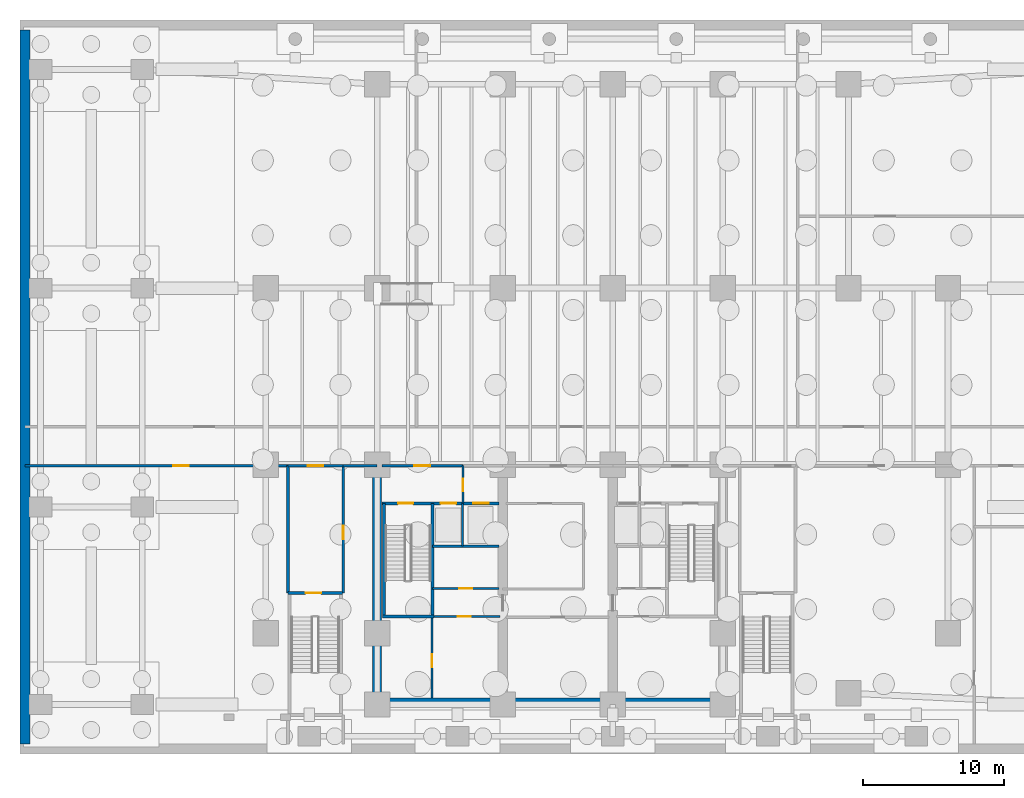
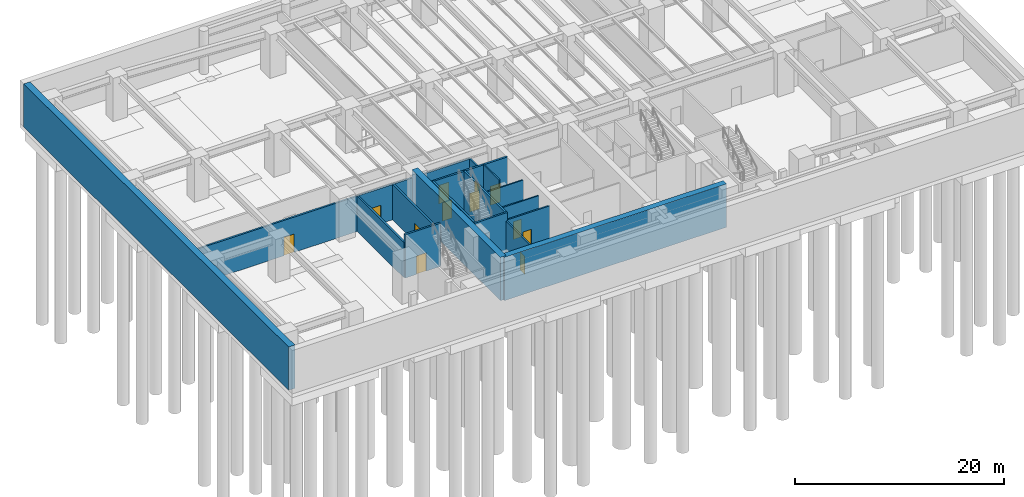
# One storey, part 5 of 12: 20 walls, 12 doors, 12 openings.
"""IFC4 building model written with IfcOpenShell, lengths in metres."""

import ifcopenshell
import ifcopenshell.guid

model = None  # the IFC model being written
_history = None  # IfcOwnerHistory: only IFC2X3 demands one
_inside = {}  # id of a spatial element -> (the spatial element, [elements in it])
_under = {}  # id of a project, library or spatial element -> (it, [spatial elements below it])
_declared = {}  # id of a project -> (the project, [libraries it declares])
_typed = {}  # id of a type object -> (the type object, [elements of that type])
_made_of = {}  # id of a material, layer set ... -> (it, [elements and type objects made of it])


def new_model(schema):
    """Start an empty IFC model of exactly this schema.

    Asked for "IFC4X3", IfcOpenShell would pick the latest addendum, in which some entities
    have other attributes; the version numbers below select the first issue.
    IFC2X3 requires an IfcOwnerHistory on every rooted entity: one is made here for all.
    """
    global model, _history
    if schema == "IFC4X3":
        model = ifcopenshell.file(schema_version=(4, 3, 0, 0))
    else:
        model = ifcopenshell.file(schema=schema)
    _inside.clear()
    _under.clear()
    _declared.clear()
    _typed.clear()
    _made_of.clear()
    _history = None
    if model.schema == "IFC2X3":
        org = make("IfcOrganization", Name="unknown")
        user = make(
            "IfcPersonAndOrganization",
            ThePerson=make("IfcPerson", FamilyName="unknown"),
            TheOrganization=org,
        )
        app = make(
            "IfcApplication",
            ApplicationDeveloper=org,
            Version="unknown",
            ApplicationFullName="unknown",
            ApplicationIdentifier="unknown",
        )
        _history = make(
            "IfcOwnerHistory",
            OwningUser=user,
            OwningApplication=app,
            ChangeAction="ADDED",
            CreationDate=0,
        )
    return model


def make(cls, **values):
    """One entity of the class cls with the attributes given. An attribute that is None is left unset."""
    return model.create_entity(
        cls, **{name: value for name, value in values.items() if value is not None}
    )


def rooted(cls, **values):
    """An entity with a GlobalId (a new one), such as an element, a storey or a relation."""
    return make(cls, GlobalId=ifcopenshell.guid.new(), OwnerHistory=_history, **values)


def si_unit(unit_type, name, prefix=None):
    """IfcSIUnit, for example si_unit("LENGTHUNIT", "METRE", prefix="MILLI")."""
    return make("IfcSIUnit", UnitType=unit_type, Prefix=prefix, Name=name)


def assignment(units):
    """IfcUnitAssignment: the units of a project."""
    return None if units is None else make("IfcUnitAssignment", Units=units)


def point(xyz):
    """IfcCartesianPoint."""
    return None if xyz is None else make("IfcCartesianPoint", Coordinates=xyz)


def direction(xyz):
    """IfcDirection."""
    return None if xyz is None else make("IfcDirection", DirectionRatios=xyz)


def frame(location, z_axis=None, x_axis=None):
    """IfcAxis2Placement3D, a coordinate frame: its origin and axes. An axis left out is left unset."""
    return make(
        "IfcAxis2Placement3D",
        Location=point(location),
        Axis=direction(z_axis),
        RefDirection=direction(x_axis),
    )


def frame_2d(location, x_axis=None):
    """IfcAxis2Placement2D, a coordinate frame in the plane: its origin and x axis."""
    return make(
        "IfcAxis2Placement2D", Location=point(location), RefDirection=direction(x_axis)
    )


def origin():
    """The frame at (0, 0, 0) with its axes left unset."""
    return frame((0.0, 0.0, 0.0))


def place(relative_to, where):
    """IfcLocalPlacement: puts the frame where relative to a parent placement (None: the world)."""
    return make(
        "IfcLocalPlacement", PlacementRelTo=relative_to, RelativePlacement=where
    )


def context(
    kind, dimensions, precision=None, world=None, true_north=None, identifier=None
):
    """IfcGeometricRepresentationContext, for example the 3D "Model" context."""
    return make(
        "IfcGeometricRepresentationContext",
        ContextIdentifier=identifier,
        ContextType=kind,
        CoordinateSpaceDimension=dimensions,
        Precision=precision,
        WorldCoordinateSystem=world,
        TrueNorth=true_north,
    )


def subcontext(parent, identifier, kind, view, scale=None):
    """IfcGeometricRepresentationSubContext, for example "Body" below "Model"."""
    return make(
        "IfcGeometricRepresentationSubContext",
        ContextIdentifier=identifier,
        ContextType=kind,
        ParentContext=parent,
        TargetScale=scale,
        TargetView=view,
    )


def project(units=None, contexts=None):
    """IfcProject with its units and contexts."""
    return rooted(
        "IfcProject",
        Name="project",
        RepresentationContexts=contexts,
        UnitsInContext=assignment(units),
    )


def spatial(cls, under=None, at=None, **own):
    """A site, building, storey or space (cls), placed at a placement, below another one or the project."""
    s = rooted(cls, ObjectPlacement=at, **own)
    if under is not None:
        _under.setdefault(under.id(), (under, []))[1].append(s)
    return s


def profile(cls, at=None, kind="AREA", **sizes):
    """A parametric profile (cls). Its sizes go by their IFC names, for example OverallWidth=200.0."""
    return make(cls, ProfileType=kind, Position=at, **sizes)


def rectangle(**sizes):
    """IfcRectangleProfileDef."""
    return profile("IfcRectangleProfileDef", **sizes)


def extrude(swept, where, along, depth):
    """IfcExtrudedAreaSolid: the profile swept, set in the frame where, extruded along a direction by depth."""
    return make(
        "IfcExtrudedAreaSolid",
        SweptArea=swept,
        Position=where,
        ExtrudedDirection=direction(along),
        Depth=depth,
    )


def shape(context_of_items, identifier, shape_type, items):
    """IfcShapeRepresentation: the items that make up one representation, for example the "Body"."""
    return make(
        "IfcShapeRepresentation",
        ContextOfItems=context_of_items,
        RepresentationIdentifier=identifier,
        RepresentationType=shape_type,
        Items=items,
    )


def material(Name=None, Category=None):
    """IfcMaterial."""
    return make("IfcMaterial", Name=Name, Category=Category)


def layer(
    of_material, thickness, ventilated=None, Name=None, Category=None, Priority=None
):
    """IfcMaterialLayer: one layer of a wall or slab, of a material (None: an air gap)."""
    return make(
        "IfcMaterialLayer",
        Material=of_material,
        LayerThickness=thickness,
        IsVentilated=ventilated,
        Name=Name,
        Category=Category,
        Priority=Priority,
    )


def layer_set(layers, Name=None):
    """IfcMaterialLayerSet."""
    return make("IfcMaterialLayerSet", MaterialLayers=layers, LayerSetName=Name)


def made_of(thing, what):
    """Note that an element or type object is made of a material, layer set ...; save() writes the relation."""
    if what is not None:
        _made_of.setdefault(what.id(), (what, []))[1].append(thing)
    return thing


def type_object(cls, material=None, **own):
    """A type object (cls), such as IfcWallType, which elements share."""
    return made_of(rooted(cls, **own), material)


def element(
    cls,
    number,
    at=None,
    inside=None,
    cuts=None,
    type_object=None,
    material=None,
    context=None,
    identifier="Body",
    shape_type=None,
    held_by="IfcProductDefinitionShape",
    body=None,
    shapes=None,
    **own,
):
    """One element of the class cls, such as IfcWall. Its Tag is "e" and its number.

    at: its placement. inside: the storey or other place that contains it. cuts: it is an
    opening in that element (IfcRelVoidsElement). A single representation is given by context,
    identifier, shape_type and body (its items); several are given by shapes. held_by: the class
    of the entity that holds the representations. save() writes the other relations.
    """
    e = rooted(cls, Tag="e%d" % number, ObjectPlacement=at, **own)
    if body is not None:
        shapes = [shape(context, identifier, shape_type, body)]
    if shapes is not None:
        e.Representation = make(held_by, Representations=shapes)
    if inside is not None:
        _inside.setdefault(inside.id(), (inside, []))[1].append(e)
    if cuts is not None:
        rooted(
            "IfcRelVoidsElement", RelatingBuildingElement=cuts, RelatedOpeningElement=e
        )
    if type_object is not None:
        _typed.setdefault(type_object.id(), (type_object, []))[1].append(e)
    return made_of(e, material)


def fill(opening, filler):
    """IfcRelFillsElement: the door or window that sits in an opening."""
    return rooted(
        "IfcRelFillsElement",
        RelatingOpeningElement=opening,
        RelatedBuildingElement=filler,
    )


def aggregate(whole, parts):
    """IfcRelAggregates: a whole, such as a stair, and the parts it consists of."""
    return rooted("IfcRelAggregates", RelatingObject=whole, RelatedObjects=parts)


def save(model, path):
    """Write the relations noted so far, then the file.

    IfcRelAggregates (storeys below a building ...), IfcRelContainedInSpatialStructure (elements
    in a storey), IfcRelDefinesByType, IfcRelAssociatesMaterial and IfcRelDeclares: one each for
    every whole, place, type object, material and project.
    """
    for whole, parts in _under.values():
        aggregate(whole, parts)
    for where, things in _inside.values():
        rooted(
            "IfcRelContainedInSpatialStructure",
            RelatedElements=things,
            RelatingStructure=where,
        )
    for kind, things in _typed.values():
        rooted("IfcRelDefinesByType", RelatedObjects=things, RelatingType=kind)
    for what, things in _made_of.values():
        rooted("IfcRelAssociatesMaterial", RelatedObjects=things, RelatingMaterial=what)
    for by, libraries in _declared.values():
        rooted("IfcRelDeclares", RelatingContext=by, RelatedDefinitions=libraries)
    model.write(path)


model = new_model("IFC4")

# Units and contexts
model_context = context("Model", 3, precision=1e-05, world=origin(), true_north=direction((0.0, 1.0)))
body_context = subcontext(model_context, "Body", "Model", "MODEL_VIEW")
ifc_project = project(units=[si_unit("LENGTHUNIT", "METRE"), si_unit("AREAUNIT", "SQUARE_METRE"), si_unit("VOLUMEUNIT", "CUBIC_METRE"), si_unit("PLANEANGLEUNIT", "RADIAN"), si_unit("MASSUNIT", "GRAM", prefix="KILO")], contexts=[model_context])

# Site, building, storey
site_placement = place(None, origin())
site = spatial("IfcSite", under=ifc_project, at=site_placement, CompositionType="ELEMENT")
building_placement = place(site_placement, origin())
building = spatial("IfcBuilding", under=site, at=building_placement, Name="Qalmaran Belvedere Hotel", CompositionType="ELEMENT")
storey_placement = place(building_placement, frame((0.0, 0.0, -5.39990234375)))
storey = spatial("IfcBuildingStorey", under=building, at=storey_placement, Name="B01", CompositionType="ELEMENT", Elevation=-5.39990234375)

# Walls
ifc_material_1 = material(Name="Concrete C60/75", Category="concrete")
ifc_layer_1 = layer(ifc_material_1, 0.64990234375, Name="Concrete C60/75")
ifc_layer_set_1 = layer_set([ifc_layer_1], Name="Concrete C60/75")
wall_type_1 = type_object("IfcWallType", Name="WL-CORE-650-C60", PredefinedType="SHEAR", material=ifc_layer_set_1)
wall_1_placement = place(storey_placement, frame((20.300048828125, 3.6298828125, 0.0), z_axis=(0.0, 0.0, 1.0), x_axis=(1.0, 0.0, 0.0)))
element("IfcWall", 1, at=wall_1_placement, inside=storey, type_object=wall_type_1, Name="B01 South Core Shear Wall", PredefinedType="SHEAR", context=body_context, shape_type="SweptSolid", body=[
    extrude(rectangle(XDim=24.5, YDim=0.64990234375, at=frame_2d((12.25, 0.0))), origin(), (0.0, 0.0, 1.0), 5.0498046875),
])
wall_2_placement = place(storey_placement, frame((20.300048828125, 3.5, 0.0), z_axis=(0.0, 0.0, 1.0), x_axis=(0.0, 1.0, 0.0)))
element("IfcWall", 2, at=wall_2_placement, inside=storey, type_object=wall_type_1, Name="B01 West Core Shear Wall", PredefinedType="SHEAR", context=body_context, shape_type="SweptSolid", body=[
    extrude(rectangle(XDim=16.89990234375, YDim=0.64990234375, at=frame_2d((8.449951171875, 0.0))), origin(), (0.0, 0.0, 1.0), 5.0498046875),
])
ifc_material_2 = material(Name="Gypsum Stud Partition")
ifc_layer_2 = layer(ifc_material_2, 0.14990234375, Name="Gypsum Stud Partition")
ifc_layer_set_2 = layer_set([ifc_layer_2], Name="Gypsum Stud Partition")
wall_type_2 = type_object("IfcWallType", Name="WL-INT-150-EI120", PredefinedType="PARTITIONING", material=ifc_layer_set_2)
wall_3_placement = place(storey_placement, frame((26.360107421875, 14.719970703125, 0.0), z_axis=(0.0, 0.0, 1.0), x_axis=(0.0, 1.0, 0.0)))
element("IfcWall", 3, at=wall_3_placement, inside=storey, type_object=wall_type_2, Name="B01 Partition WL-FF1M-B01", PredefinedType="PARTITIONING", context=body_context, shape_type="SweptSolid", body=[
    extrude(rectangle(XDim=3.0400390625, YDim=0.14990234375, at=frame_2d((1.52001953125, 0.0))), origin(), (0.0, 0.0, 1.0), 5.0498046875),
])

# Wall, opening, door
ifc_layer_3 = layer(ifc_material_2, 0.159912109375, Name="Gypsum Stud Partition")
ifc_layer_set_3 = layer_set([ifc_layer_3], Name="Gypsum Stud Partition")
wall_type_3 = type_object("IfcWallType", Name="WL-INT-160-EI120", PredefinedType="PARTITIONING", material=ifc_layer_set_3)
wall_4_placement = place(storey_placement, frame((26.3798828125, 17.760009765625, 0.0), z_axis=(0.0, 0.0, 1.0), x_axis=(0.0, 1.0, 0.0)))
wall_4 = element("IfcWall", 4, at=wall_4_placement, inside=storey, type_object=wall_type_3, Name="B01 Partition WL-FFSV1-B01", PredefinedType="PARTITIONING", context=body_context, shape_type="SweptSolid", body=[
    extrude(rectangle(XDim=2.659912109375, YDim=0.159912109375, at=frame_2d((1.330078125, 0.0))), origin(), (0.0, 0.0, 1.0), 4.114013671875),
])
opening_1_placement = place(wall_4_placement, frame((0.85009765625, 0.0, 0.0)))
opening_1 = element("IfcOpeningElement", 5, at=opening_1_placement, cuts=wall_4, Name="Opening FD60B", PredefinedType="OPENING", context=body_context, shape_type="SweptSolid", body=[
    extrude(rectangle(XDim=0.8798828125, YDim=2.080078125, at=frame_2d((0.43994140625, 1.0400390625))), frame((0.0, 0.08984375, 0.0), z_axis=(0.0, -1.0, 0.0), x_axis=(1.0, 0.0, 0.0)), (0.0, 0.0, 1.0), 0.179931640625),
])
ifc_material_3 = material(Name="Steel S355JR", Category="steel")
door_type_1 = type_object("IfcDoorType", Name="DR-FD60B-880X2080", OperationType="NOTDEFINED", PredefinedType="DOOR", material=ifc_material_3)
door_1_placement = place(opening_1_placement, origin())
door_1 = element("IfcDoor", 6, at=door_1_placement, inside=storey, type_object=door_type_1, Name="B01 Service Lobby West Door", OperationType="SINGLE_SWING_LEFT", OverallHeight=2.080078125, OverallWidth=0.8798828125, PredefinedType="DOOR", context=body_context, shape_type="SweptSolid", body=[
    extrude(rectangle(XDim=0.8798828125, YDim=2.080078125, at=frame_2d((0.43994140625, 1.0400390625))), frame((0.0, 0.02490234375, 0.0), z_axis=(0.0, -1.0, 0.0), x_axis=(1.0, 0.0, 0.0)), (0.0, 0.0, 1.0), 0.050048828125),
])
fill(opening_1, door_1)

# Wall
wall_5_placement = place(storey_placement, frame((24.219970703125, 14.719970703125, 0.0), z_axis=(0.0, 0.0, 1.0), x_axis=(1.0, 0.0, 0.0)))
element("IfcWall", 7, at=wall_5_placement, inside=storey, type_object=wall_type_3, Name="B01 Partition WL-FF1S-B01", PredefinedType="PARTITIONING", context=body_context, shape_type="SweptSolid", body=[
    extrude(rectangle(XDim=4.72998046875, YDim=0.159912109375, at=frame_2d((2.364990234375, 0.0))), origin(), (0.0, 0.0, 1.0), 4.179931640625),
])

# Wall, opening, door
wall_6_placement = place(storey_placement, frame((24.199951171875, 3.949951171875, 0.0), z_axis=(0.0, 0.0, 1.0), x_axis=(0.0, 1.0, 0.0)))
wall_6 = element("IfcWall", 8, at=wall_6_placement, inside=storey, type_object=wall_type_3, Name="B01 Partition WL-PONV-B01", PredefinedType="PARTITIONING", context=body_context, shape_type="SweptSolid", body=[
    extrude(rectangle(XDim=5.7900390625, YDim=0.159912109375, at=frame_2d((2.89501953125, 0.0))), origin(), (0.0, 0.0, 1.0), 4.114013671875),
])
opening_2_placement = place(wall_6_placement, frame((2.199951171875, 0.0, 0.0)))
opening_2 = element("IfcOpeningElement", 9, at=opening_2_placement, cuts=wall_6, Name="Opening FD60S1", PredefinedType="OPENING", context=body_context, shape_type="SweptSolid", body=[
    extrude(rectangle(XDim=0.919921875, YDim=2.080078125, at=frame_2d((0.4599609375, 1.0400390625))), frame((0.0, 0.08984375, 0.0), z_axis=(0.0, -1.0, 0.0), x_axis=(1.0, 0.0, 0.0)), (0.0, 0.0, 1.0), 0.179931640625),
])
ifc_material_4 = material(Name="Engineered Oak Veneer")
door_type_2 = type_object("IfcDoorType", Name="DR-FD60S-920X2080", OperationType="NOTDEFINED", PredefinedType="DOOR", material=ifc_material_4)
door_2_placement = place(opening_2_placement, origin())
door_2 = element("IfcDoor", 10, at=door_2_placement, inside=storey, type_object=door_type_2, Name="B01 Machine Plant Inner Door", OperationType="SINGLE_SWING_LEFT", OverallHeight=2.080078125, OverallWidth=0.919921875, PredefinedType="DOOR", context=body_context, shape_type="SweptSolid", body=[
    extrude(rectangle(XDim=0.919921875, YDim=2.080078125, at=frame_2d((0.4599609375, 1.0400390625))), frame((0.0, 0.02490234375, 0.0), z_axis=(0.0, -1.0, 0.0), x_axis=(1.0, 0.0, 0.0)), (0.0, 0.0, 1.0), 0.050048828125),
])
fill(opening_2, door_2)

wall_7_placement = place(storey_placement, frame((24.199951171875, 9.739990234375, 0.0), z_axis=(0.0, 0.0, 1.0), x_axis=(1.0, 0.0, 0.0)))
wall_7 = element("IfcWall", 11, at=wall_7_placement, inside=storey, type_object=wall_type_3, Name="B01 Partition WL-PONN-B01", PredefinedType="PARTITIONING", context=body_context, shape_type="SweptSolid", body=[
    extrude(rectangle(XDim=4.800048828125, YDim=0.159912109375, at=frame_2d((2.39990234375, 0.0))), origin(), (0.0, 0.0, 1.0), 4.179931640625),
])
opening_3_placement = place(wall_7_placement, frame((2.75, 0.0, 0.0), z_axis=(0.0, 0.0, 1.0), x_axis=(-1.0, 0.0, 0.0)))
opening_3 = element("IfcOpeningElement", 12, at=opening_3_placement, cuts=wall_7, Name="Opening FD60", PredefinedType="OPENING", context=body_context, shape_type="SweptSolid", body=[
    extrude(rectangle(XDim=0.949951171875, YDim=2.14990234375, at=frame_2d((0.47509765625, 1.074951171875))), frame((0.0, 0.08984375, 0.0), z_axis=(0.0, -1.0, 0.0), x_axis=(1.0, 0.0, 0.0)), (0.0, 0.0, 1.0), 0.179931640625),
])
door_type_3 = type_object("IfcDoorType", Name="DR-FD60-950X2150", OperationType="NOTDEFINED", PredefinedType="DOOR", material=ifc_material_4)
door_3_placement = place(opening_3_placement, origin())
door_3 = element("IfcDoor", 13, at=door_3_placement, inside=storey, type_object=door_type_3, Name="B01 Buffer Plant Passage Door", OperationType="SINGLE_SWING_RIGHT", OverallHeight=2.14990234375, OverallWidth=0.949951171875, PredefinedType="DOOR", context=body_context, shape_type="SweptSolid", body=[
    extrude(rectangle(XDim=0.949951171875, YDim=2.14990234375, at=frame_2d((0.47509765625, 1.074951171875))), frame((0.0, 0.02490234375, 0.0), z_axis=(0.0, -1.0, 0.0), x_axis=(1.0, 0.0, 0.0)), (0.0, 0.0, 1.0), 0.050048828125),
])
fill(opening_3, door_3)

ifc_layer_4 = layer(ifc_material_2, 0.159912109375, Name="Gypsum Stud Partition")
ifc_layer_set_4 = layer_set([ifc_layer_4], Name="Gypsum Stud Partition")
wall_type_4 = type_object("IfcWallType", Name="WL-INT-160-EI60", PredefinedType="PARTITIONING", material=ifc_layer_set_4)
wall_8_placement = place(storey_placement, frame((24.219970703125, 11.719970703125, 0.0), z_axis=(0.0, 0.0, 1.0), x_axis=(1.0, 0.0, 0.0)))
wall_8 = element("IfcWall", 14, at=wall_8_placement, inside=storey, type_object=wall_type_4, Name="B01 Partition WL-B01-KWE1", PredefinedType="PARTITIONING", context=body_context, shape_type="SweptSolid", body=[
    extrude(rectangle(XDim=4.72998046875, YDim=0.159912109375, at=frame_2d((2.364990234375, 0.0))), origin(), (0.0, 0.0, 1.0), 4.179931640625),
])
opening_4_placement = place(wall_8_placement, frame((1.905029296875, 0.0, 0.0)))
opening_4 = element("IfcOpeningElement", 15, at=opening_4_placement, cuts=wall_8, Name="Opening FD60S1", PredefinedType="OPENING", context=body_context, shape_type="SweptSolid", body=[
    extrude(rectangle(XDim=0.919921875, YDim=2.080078125, at=frame_2d((0.4599609375, 1.0400390625))), frame((0.0, 0.08984375, 0.0), z_axis=(0.0, -1.0, 0.0), x_axis=(1.0, 0.0, 0.0)), (0.0, 0.0, 1.0), 0.179931640625),
])
door_4_placement = place(opening_4_placement, origin())
door_4 = element("IfcDoor", 16, at=door_4_placement, inside=storey, type_object=door_type_2, Name="B01 Basement Electrical Switchgear Room Door", OperationType="SINGLE_SWING_RIGHT", OverallHeight=2.080078125, OverallWidth=0.919921875, PredefinedType="DOOR", context=body_context, shape_type="SweptSolid", body=[
    extrude(rectangle(XDim=0.919921875, YDim=2.080078125, at=frame_2d((0.4599609375, 1.0400390625))), frame((0.0, 0.02490234375, 0.0), z_axis=(0.0, -1.0, 0.0), x_axis=(1.0, 0.0, 0.0)), (0.0, 0.0, 1.0), 0.050048828125),
])
fill(opening_4, door_4)

ifc_material_5 = material(Name="Concrete C30/37 Blockwork", Category="masonry")
ifc_layer_5 = layer(ifc_material_5, 0.199951171875, Name="Concrete C30/37 Blockwork")
ifc_layer_set_5 = layer_set([ifc_layer_5], Name="Concrete C30/37 Blockwork")
wall_type_5 = type_object("IfcWallType", Name="WL-INT-200-EI120", PredefinedType="PARTITIONING", material=ifc_layer_set_5)
wall_9_placement = place(storey_placement, frame((20.64990234375, 20.419921875, 0.0), z_axis=(0.0, 0.0, 1.0), x_axis=(1.0, 0.0, 0.0)))
wall_9 = element("IfcWall", 17, at=wall_9_placement, inside=storey, type_object=wall_type_5, Name="B01 Partition WL-CN1A-B01", PredefinedType="PARTITIONING", context=body_context, shape_type="SweptSolid", body=[
    extrude(rectangle(XDim=5.72998046875, YDim=0.199951171875, at=frame_2d((2.864990234375, 0.0))), origin(), (0.0, 0.0, 1.0), 4.114013671875),
])
opening_5_placement = place(wall_9_placement, frame((2.300048828125, 0.0, 0.0)))
opening_5 = element("IfcOpeningElement", 18, at=opening_5_placement, cuts=wall_9, Name="Opening FD90", PredefinedType="OPENING", context=body_context, shape_type="SweptSolid", body=[
    extrude(rectangle(XDim=1.10009765625, YDim=2.14990234375, at=frame_2d((0.550048828125, 1.074951171875))), frame((0.0, 0.10986328125, 0.0), z_axis=(0.0, -1.0, 0.0), x_axis=(1.0, 0.0, 0.0)), (0.0, 0.0, 1.0), 0.219970703125),
])
door_type_4 = type_object("IfcDoorType", Name="DR-FD90-1100X2150", OperationType="NOTDEFINED", PredefinedType="DOOR", material=ifc_material_3)
door_5_placement = place(opening_5_placement, origin())
door_5 = element("IfcDoor", 19, at=door_5_placement, inside=storey, type_object=door_type_4, Name="B01 FF1 Lobby Corridor Door", OperationType="SINGLE_SWING_LEFT", OverallHeight=2.14990234375, OverallWidth=1.10009765625, PredefinedType="DOOR", context=body_context, shape_type="SweptSolid", body=[
    extrude(rectangle(XDim=1.10009765625, YDim=2.14990234375, at=frame_2d((0.550048828125, 1.074951171875))), frame((0.0, 0.02490234375, 0.0), z_axis=(0.0, -1.0, 0.0), x_axis=(1.0, 0.0, 0.0)), (0.0, 0.0, 1.0), 0.050048828125),
])
fill(opening_5, door_5)

wall_10_placement = place(storey_placement, frame((-4.64990234375, 20.419921875, 0.0), z_axis=(0.0, 0.0, 1.0), x_axis=(1.0, 0.0, 0.0)))
wall_10 = element("IfcWall", 20, at=wall_10_placement, inside=storey, type_object=wall_type_5, Name="B01 Partition WL-B01-CS0", PredefinedType="PARTITIONING", context=body_context, shape_type="SweptSolid", body=[
    extrude(rectangle(XDim=18.64990234375, YDim=0.199951171875, at=frame_2d((9.324951171875, 0.0))), origin(), (0.0, 0.0, 1.0), 4.114013671875),
])
opening_6_placement = place(wall_10_placement, frame((11.60009765625, 0.0, 0.0), z_axis=(0.0, 0.0, 1.0), x_axis=(-1.0, 0.0, 0.0)))
opening_6 = element("IfcOpeningElement", 21, at=opening_6_placement, cuts=wall_10, Name="Opening FD90", PredefinedType="OPENING", context=body_context, shape_type="SweptSolid", body=[
    extrude(rectangle(XDim=1.10009765625, YDim=2.14990234375, at=frame_2d((0.550048828125, 1.074951171875))), frame((0.0, 0.10986328125, 0.0), z_axis=(0.0, -1.0, 0.0), x_axis=(1.0, 0.0, 0.0)), (0.0, 0.0, 1.0), 0.219970703125),
])
door_6_placement = place(opening_6_placement, origin())
door_6 = element("IfcDoor", 22, at=door_6_placement, inside=storey, type_object=door_type_4, Name="B01 Laundry Door", OperationType="SINGLE_SWING_RIGHT", OverallHeight=2.14990234375, OverallWidth=1.10009765625, PredefinedType="DOOR", context=body_context, shape_type="SweptSolid", body=[
    extrude(rectangle(XDim=1.10009765625, YDim=2.14990234375, at=frame_2d((0.550048828125, 1.074951171875))), frame((0.0, 0.02490234375, 0.0), z_axis=(0.0, -1.0, 0.0), x_axis=(1.0, 0.0, 0.0)), (0.0, 0.0, 1.0), 0.050048828125),
])
fill(opening_6, door_6)

wall_11_placement = place(storey_placement, frame((14.0, 20.419921875, 0.0), z_axis=(0.0, 0.0, 1.0), x_axis=(1.0, 0.0, 0.0)))
wall_11 = element("IfcWall", 23, at=wall_11_placement, inside=storey, type_object=wall_type_5, Name="B01 Partition WL-B01-CS1", PredefinedType="PARTITIONING", context=body_context, shape_type="SweptSolid", body=[
    extrude(rectangle(XDim=3.89990234375, YDim=0.199951171875, at=frame_2d((1.949951171875, 0.0))), origin(), (0.0, 0.0, 1.0), 4.114013671875),
])
opening_7_placement = place(wall_11_placement, frame((2.5, 0.0, 0.0), z_axis=(0.0, 0.0, 1.0), x_axis=(-1.0, 0.0, 0.0)))
opening_7 = element("IfcOpeningElement", 24, at=opening_7_placement, cuts=wall_11, Name="Opening FD90", PredefinedType="OPENING", context=body_context, shape_type="SweptSolid", body=[
    extrude(rectangle(XDim=1.10009765625, YDim=2.14990234375, at=frame_2d((0.550048828125, 1.074951171875))), frame((0.0, 0.10986328125, 0.0), z_axis=(0.0, -1.0, 0.0), x_axis=(1.0, 0.0, 0.0)), (0.0, 0.0, 1.0), 0.219970703125),
])
door_7_placement = place(opening_7_placement, origin())
door_7 = element("IfcDoor", 25, at=door_7_placement, inside=storey, type_object=door_type_4, Name="B01 West Stair Lobby Door", OperationType="SINGLE_SWING_LEFT", OverallHeight=2.14990234375, OverallWidth=1.10009765625, PredefinedType="DOOR", context=body_context, shape_type="SweptSolid", body=[
    extrude(rectangle(XDim=1.10009765625, YDim=2.14990234375, at=frame_2d((0.550048828125, 1.074951171875))), frame((0.0, 0.02490234375, 0.0), z_axis=(0.0, -1.0, 0.0), x_axis=(1.0, 0.0, 0.0)), (0.0, 0.0, 1.0), 0.050048828125),
])
fill(opening_7, door_7)

# Walls
wall_12_placement = place(storey_placement, frame((17.89990234375, 20.419921875, 0.0), z_axis=(0.0, 0.0, 1.0), x_axis=(1.0, 0.0, 0.0)))
element("IfcWall", 26, at=wall_12_placement, inside=storey, type_object=wall_type_5, Name="B01 Partition WL-B01-CS2", PredefinedType="PARTITIONING", context=body_context, shape_type="SweptSolid", body=[
    extrude(rectangle(XDim=2.400146484375, YDim=0.199951171875, at=frame_2d((1.2001953125, 0.0))), origin(), (0.0, 0.0, 1.0), 4.114013671875),
])
wall_13_placement = place(storey_placement, frame((14.0, 11.39990234375, 0.0), z_axis=(0.0, 0.0, 1.0), x_axis=(0.0, 1.0, 0.0)))
element("IfcWall", 27, at=wall_13_placement, inside=storey, type_object=wall_type_5, Name="B01 Partition WL-B01-LW", PredefinedType="PARTITIONING", context=body_context, shape_type="SweptSolid", body=[
    extrude(rectangle(XDim=9.02001953125, YDim=0.199951171875, at=frame_2d((4.510009765625, 0.0))), origin(), (0.0, 0.0, 1.0), 4.114013671875),
])

# Wall, opening, door
wall_14_placement = place(storey_placement, frame((17.89990234375, 11.39990234375, 0.0), z_axis=(0.0, 0.0, 1.0), x_axis=(0.0, 1.0, 0.0)))
wall_14 = element("IfcWall", 28, at=wall_14_placement, inside=storey, type_object=wall_type_5, Name="B01 Partition WL-B01-LE1", PredefinedType="PARTITIONING", context=body_context, shape_type="SweptSolid", body=[
    extrude(rectangle(XDim=9.02001953125, YDim=0.199951171875, at=frame_2d((4.510009765625, 0.0))), origin(), (0.0, 0.0, 1.0), 4.114013671875),
])
opening_8_placement = place(wall_14_placement, frame((4.75, 0.0, 0.0), z_axis=(0.0, 0.0, 1.0), x_axis=(-1.0, 0.0, 0.0)))
opening_8 = element("IfcOpeningElement", 29, at=opening_8_placement, cuts=wall_14, Name="Opening FD60", PredefinedType="OPENING", context=body_context, shape_type="SweptSolid", body=[
    extrude(rectangle(XDim=0.949951171875, YDim=2.14990234375, at=frame_2d((0.47509765625, 1.074951171875))), frame((0.0, 0.10986328125, 0.0), z_axis=(0.0, -1.0, 0.0), x_axis=(1.0, 0.0, 0.0)), (0.0, 0.0, 1.0), 0.219970703125),
])
door_8_placement = place(opening_8_placement, origin())
door_8 = element("IfcDoor", 30, at=door_8_placement, inside=storey, type_object=door_type_3, Name="B01 Bulk Linen Store Door", OperationType="SINGLE_SWING_LEFT", OverallHeight=2.14990234375, OverallWidth=0.949951171875, PredefinedType="DOOR", context=body_context, shape_type="SweptSolid", body=[
    extrude(rectangle(XDim=0.949951171875, YDim=2.14990234375, at=frame_2d((0.47509765625, 1.074951171875))), frame((0.0, 0.02490234375, 0.0), z_axis=(0.0, -1.0, 0.0), x_axis=(1.0, 0.0, 0.0)), (0.0, 0.0, 1.0), 0.050048828125),
])
fill(opening_8, door_8)

# Walls
ifc_layer_6 = layer(ifc_material_1, 0.699951171875, Name="Concrete C60/75")
ifc_layer_set_6 = layer_set([ifc_layer_6], Name="Concrete C60/75")
wall_type_6 = type_object("IfcWallType", Name="WL-RET-700-C60", PredefinedType="SOLIDWALL", material=ifc_layer_set_6)
wall_15_placement = place(storey_placement, frame((-4.64990234375, 0.699951171875, 0.0), z_axis=(0.0, 0.0, 1.0), x_axis=(0.0, 1.0, 0.0)))
element("IfcWall", 31, at=wall_15_placement, inside=storey, type_object=wall_type_6, Name="B01 Perimeter Retaining Wall W", PredefinedType="SOLIDWALL", context=body_context, shape_type="SweptSolid", body=[
    extrude(rectangle(XDim=50.60009765625, YDim=0.699951171875, at=frame_2d((25.300048828125, 0.0))), origin(), (0.0, 0.0, 1.0), 5.0498046875),
])
ifc_material_6 = material(Name="Concrete C50/60", Category="concrete")
ifc_layer_7 = layer(ifc_material_6, 0.2099609375, Name="Concrete C50/60")
ifc_layer_set_7 = layer_set([ifc_layer_7], Name="Concrete C50/60")
wall_type_7 = type_object("IfcWallType", Name="WL-STAIR-210-C50", PredefinedType="SHEAR", material=ifc_layer_set_7)
for number, where, z_axis, x_axis, name in (
    (32, (20.77490234375, 9.7451171875, 0.0), (0.0, 0.0, 1.0), (0.0, 1.0, 0.0), "B01 Stair ST-1 West Bearing Wall"),
    (33, (24.22509765625, 9.7451171875, 0.0), (0.0, 0.0, 1.0), (0.0, 1.0, 0.0), "B01 Stair ST-1 East Bearing Wall"),
):
    element("IfcWall", number, at=place(storey_placement, frame(where, z_axis=z_axis, x_axis=x_axis)), inside=storey, type_object=wall_type_7, Name=name, PredefinedType="SHEAR", context=body_context, shape_type="SweptSolid", body=[
        extrude(rectangle(XDim=8.009765625, YDim=0.2099609375, at=frame_2d((4.0048828125, 0.0))), origin(), (0.0, 0.0, 1.0), 5.0498046875),
    ])
wall_16_placement = place(storey_placement, frame((20.669921875, 9.7451171875, 0.0), z_axis=(0.0, 0.0, 1.0), x_axis=(1.0, 0.0, 0.0)))
element("IfcWall", 34, at=wall_16_placement, inside=storey, type_object=wall_type_7, Name="B01 Stair ST-1 South Bearing Wall", PredefinedType="SHEAR", context=body_context, shape_type="SweptSolid", body=[
    extrude(rectangle(XDim=3.66015625, YDim=0.2099609375, at=frame_2d((1.830078125, 0.0))), origin(), (0.0, 0.0, 1.0), 5.0498046875),
])

# Wall, openings, doors
wall_17_placement = place(storey_placement, frame((20.64990234375, 17.7548828125, 0.0), z_axis=(0.0, 0.0, 1.0), x_axis=(1.0, 0.0, 0.0)))
wall_17 = element("IfcWall", 35, at=wall_17_placement, inside=storey, type_object=wall_type_7, Name="B01 West Lobby and Stair ST-1 North Bearing Wall", PredefinedType="SHEAR", context=body_context, shape_type="SweptSolid", body=[
    extrude(rectangle(XDim=8.300048828125, YDim=0.2099609375, at=frame_2d((4.14990234375, 0.0))), origin(), (0.0, 0.0, 1.0), 5.0498046875),
])
opening_9_placement = place(wall_17_placement, frame((2.199951171875, 0.0, 0.0), z_axis=(0.0, 0.0, 1.0), x_axis=(-1.0, 0.0, 0.0)))
opening_9 = element("IfcOpeningElement", 36, at=opening_9_placement, cuts=wall_17, Name="Opening FD90S2", PredefinedType="OPENING", context=body_context, shape_type="SweptSolid", body=[
    extrude(rectangle(XDim=1.050048828125, YDim=2.14990234375, at=frame_2d((0.52490234375, 1.074951171875))), frame((0.0, 0.114990234375, 0.0), z_axis=(0.0, -1.0, 0.0), x_axis=(1.0, 0.0, 0.0)), (0.0, 0.0, 1.0), 0.22998046875),
])
opening_10_placement = place(wall_17_placement, frame((4.14990234375, 0.0, 0.0)))
opening_10 = element("IfcOpeningElement", 37, at=opening_10_placement, cuts=wall_17, Name="Opening LD-FF", PredefinedType="OPENING", context=body_context, shape_type="SweptSolid", body=[
    extrude(rectangle(XDim=1.10009765625, YDim=2.179931640625, at=frame_2d((0.550048828125, 1.08984375))), frame((0.0, 0.114990234375, 0.0), z_axis=(0.0, -1.0, 0.0), x_axis=(1.0, 0.0, 0.0)), (0.0, 0.0, 1.0), 0.22998046875),
])
opening_11_placement = place(wall_17_placement, frame((6.449951171875, 0.0, 0.0)))
opening_11 = element("IfcOpeningElement", 38, at=opening_11_placement, cuts=wall_17, Name="Opening LD-SV", PredefinedType="OPENING", context=body_context, shape_type="SweptSolid", body=[
    extrude(rectangle(XDim=1.1201171875, YDim=2.199951171875, at=frame_2d((0.56005859375, 1.10009765625))), frame((0.0, 0.114990234375, 0.0), z_axis=(0.0, -1.0, 0.0), x_axis=(1.0, 0.0, 0.0)), (0.0, 0.0, 1.0), 0.22998046875),
])
door_type_5 = type_object("IfcDoorType", Name="DR-FD90S-1050X2150", OperationType="NOTDEFINED", PredefinedType="DOOR", material=ifc_material_3)
door_9_placement = place(opening_9_placement, origin())
door_9 = element("IfcDoor", 39, at=door_9_placement, inside=storey, type_object=door_type_5, Name="B01 Stair ST-1 Door", OperationType="SINGLE_SWING_LEFT", OverallHeight=2.14990234375, OverallWidth=1.050048828125, PredefinedType="DOOR", context=body_context, shape_type="SweptSolid", body=[
    extrude(rectangle(XDim=1.050048828125, YDim=2.14990234375, at=frame_2d((0.52490234375, 1.074951171875))), frame((0.0, 0.02490234375, 0.0), z_axis=(0.0, -1.0, 0.0), x_axis=(1.0, 0.0, 0.0)), (0.0, 0.0, 1.0), 0.050048828125),
])
fill(opening_9, door_9)
ifc_material_7 = material(Name="Stainless Steel 1.4401", Category="steel")
door_type_6 = type_object("IfcDoorType", Name="DR-LIFT-FF-1100X2180", OperationType="DOUBLE_DOOR_SLIDING", PredefinedType="DOOR", material=ifc_material_7)
door_10_placement = place(opening_10_placement, origin())
door_10 = element("IfcDoor", 40, at=door_10_placement, inside=storey, type_object=door_type_6, Name="B01 FF1 Lift Landing Door", OperationType="DOUBLE_DOOR_SLIDING", OverallHeight=2.179931640625, OverallWidth=1.10009765625, PredefinedType="DOOR", context=body_context, shape_type="SweptSolid", body=[
    extrude(rectangle(XDim=1.10009765625, YDim=2.179931640625, at=frame_2d((0.550048828125, 1.08984375))), frame((0.0, 0.02490234375, 0.0), z_axis=(0.0, -1.0, 0.0), x_axis=(1.0, 0.0, 0.0)), (0.0, 0.0, 1.0), 0.050048828125),
])
fill(opening_10, door_10)
door_type_7 = type_object("IfcDoorType", Name="DR-LIFT-SV-1120X2200", OperationType="DOUBLE_DOOR_SLIDING", PredefinedType="DOOR", material=ifc_material_7)
door_11_placement = place(opening_11_placement, origin())
door_11 = element("IfcDoor", 41, at=door_11_placement, inside=storey, type_object=door_type_7, Name="B01 SV1 Lift Landing Door", OperationType="DOUBLE_DOOR_SLIDING", OverallHeight=2.199951171875, OverallWidth=1.1201171875, PredefinedType="DOOR", context=body_context, shape_type="SweptSolid", body=[
    extrude(rectangle(XDim=1.1201171875, YDim=2.199951171875, at=frame_2d((0.56005859375, 1.10009765625))), frame((0.0, 0.02490234375, 0.0), z_axis=(0.0, -1.0, 0.0), x_axis=(1.0, 0.0, 0.0)), (0.0, 0.0, 1.0), 0.050048828125),
])
fill(opening_11, door_11)

# Wall, opening, door
wall_18_placement = place(storey_placement, frame((13.989990234375, 11.405029296875, 0.0), z_axis=(0.0, 0.0, 1.0), x_axis=(1.0, 0.0, 0.0)))
wall_18 = element("IfcWall", 42, at=wall_18_placement, inside=storey, type_object=wall_type_7, Name="B01 Podium Stair STP1 North Bearing Wall", PredefinedType="SHEAR", context=body_context, shape_type="SweptSolid", body=[
    extrude(rectangle(XDim=3.860107421875, YDim=0.2099609375, at=frame_2d((1.93017578125, 0.0))), origin(), (0.0, 0.0, 1.0), 5.0498046875),
])
opening_12_placement = place(wall_18_placement, frame((2.35009765625, 0.0, 0.0), z_axis=(0.0, 0.0, 1.0), x_axis=(-1.0, 0.0, 0.0)))
opening_12 = element("IfcOpeningElement", 43, at=opening_12_placement, cuts=wall_18, Name="Opening FD90", PredefinedType="OPENING", context=body_context, shape_type="SweptSolid", body=[
    extrude(rectangle(XDim=1.10009765625, YDim=2.14990234375, at=frame_2d((0.550048828125, 1.074951171875))), frame((0.0, 0.114990234375, 0.0), z_axis=(0.0, -1.0, 0.0), x_axis=(1.0, 0.0, 0.0)), (0.0, 0.0, 1.0), 0.22998046875),
])
door_12_placement = place(opening_12_placement, origin())
door_12 = element("IfcDoor", 44, at=door_12_placement, inside=storey, type_object=door_type_4, Name="B01 Stair ST-P1 Door", OperationType="SINGLE_SWING_LEFT", OverallHeight=2.14990234375, OverallWidth=1.10009765625, PredefinedType="DOOR", context=body_context, shape_type="SweptSolid", body=[
    extrude(rectangle(XDim=1.10009765625, YDim=2.14990234375, at=frame_2d((0.550048828125, 1.074951171875))), frame((0.0, 0.02490234375, 0.0), z_axis=(0.0, -1.0, 0.0), x_axis=(1.0, 0.0, 0.0)), (0.0, 0.0, 1.0), 0.050048828125),
])
fill(opening_12, door_12)

save(model, "model.ifc")
